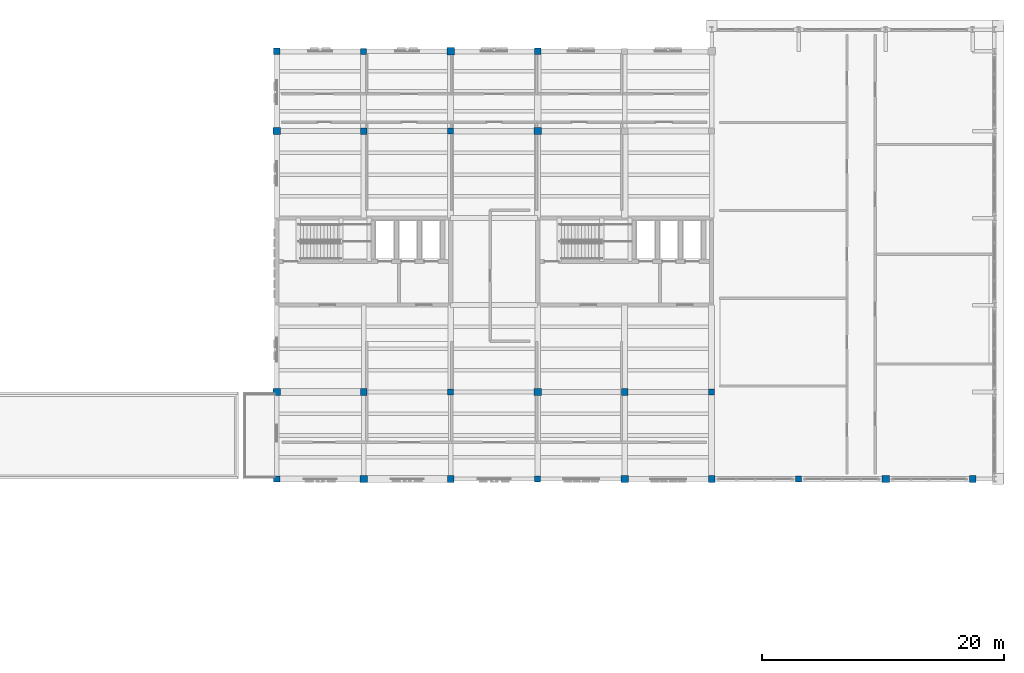
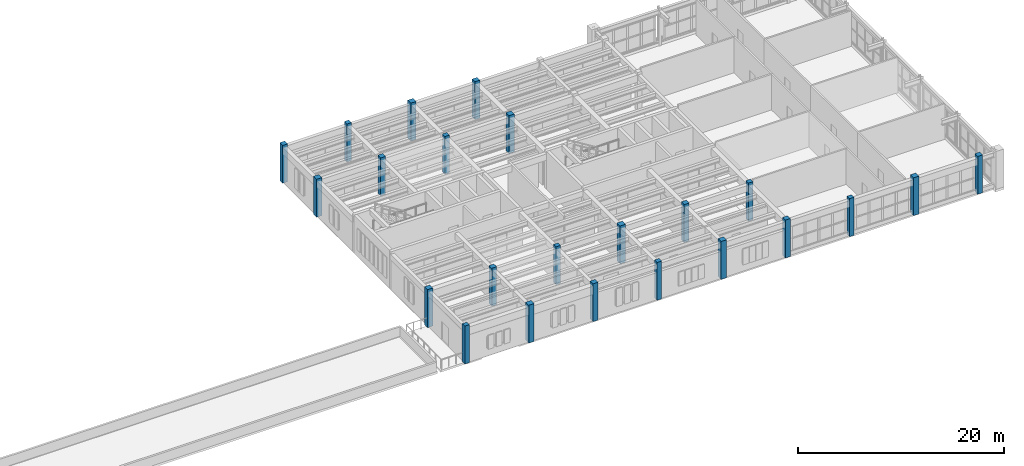
# One storey, part 1 of 18: 23 columns.
"""IFC4 building model written with IfcOpenShell, lengths in metres."""

from ifc_helpers import new_model, si_unit, direction, frame, origin, origin_2d, place, context, subcontext, project, spatial, rectangle, extrude, material, material_profile, profile_set, type_object, element, save


model = new_model("IFC4")

# Units and contexts
model_context = context("Model", 3, precision=1e-05, world=origin(), true_north=direction((0.0, 1.0)))
body_context = subcontext(model_context, "Body", "Model", "MODEL_VIEW")
ifc_project = project(units=[si_unit("LENGTHUNIT", "METRE"), si_unit("AREAUNIT", "SQUARE_METRE"), si_unit("VOLUMEUNIT", "CUBIC_METRE"), si_unit("PLANEANGLEUNIT", "RADIAN"), si_unit("MASSUNIT", "GRAM", prefix="KILO")], contexts=[model_context])

# Site, building, storey
site_placement = place(None, origin())
site = spatial("IfcSite", under=ifc_project, at=site_placement, CompositionType="ELEMENT")
building_placement = place(site_placement, origin())
building = spatial("IfcBuilding", under=site, at=building_placement, Name="Mithqara Police Headquarters", CompositionType="ELEMENT")
storey_placement = place(building_placement, frame((0.0, 0.0, 26.39990234375)))
storey = spatial("IfcBuildingStorey", under=building, at=storey_placement, Name="L06", CompositionType="ELEMENT", Elevation=26.39990234375)

# Columns
ifc_material = material(Name="Concrete C50/60", Category="concrete")
ifc_material_profile_1 = material_profile(ifc_material, rectangle(XDim=0.5, YDim=0.5, at=origin_2d()), Name="RC 500x500")
ifc_profile_set_1 = profile_set([ifc_material_profile_1], Name="Concrete C50/60")
column_type_1 = type_object("IfcColumnType", Name="COLUMN RC500", PredefinedType="COLUMN", material=ifc_profile_set_1)
for number, where, z_axis, x_axis, name in (
    (1, (108.60009765625, 78.60009765625, 0.0), (0.0, 0.0, 1.0), (1.0, 0.0, 0.0), "L06 Column 16/M"),
    (2, (115.800048828125, 114.0, 0.0), (0.0, 0.0, 1.0), (1.0, 0.0, 0.0), "L06 Column 17/S"),
    (3, (123.0, 85.800048828125, 0.0), (0.0, 0.0, 1.0), (1.0, 0.0, 0.0), "L06 Column 18/N"),
    (4, (123.0, 107.39990234375, 0.0), (0.0, 0.0, 1.0), (1.0, 0.0, 0.0), "L06 Column 18/R"),
    (5, (130.199951171875, 78.60009765625, 0.0), (0.0, 0.0, 1.0), (1.0, 0.0, 0.0), "L06 Column 19/M"),
    (6, (144.60009765625, 85.800048828125, 0.0), (0.0, 0.0, 1.0), (1.0, 0.0, 0.0), "L06 Column 21/N"),
    (7, (151.800048828125, 78.60009765625, 0.0), (0.0, 0.0, 1.0), (1.0, 0.0, 0.0), "L06 Column 22/M"),
):
    element("IfcColumn", number, at=place(storey_placement, frame(where, z_axis=z_axis, x_axis=x_axis)), inside=storey, type_object=column_type_1, Name=name, PredefinedType="COLUMN", context=body_context, shape_type="SweptSolid", body=[
        extrude(rectangle(XDim=0.5, YDim=0.5, at=origin_2d()), origin(), (0.0, 0.0, 1.0), 4.5),
    ])
ifc_material_profile_2 = material_profile(ifc_material, rectangle(XDim=0.550048828125, YDim=0.550048828125, at=origin_2d()), Name="RC 550x550")
ifc_profile_set_2 = profile_set([ifc_material_profile_2], Name="Concrete C50/60")
column_type_2 = type_object("IfcColumnType", Name="COLUMN RC550", PredefinedType="COLUMN", material=ifc_profile_set_2)
for number, where, z_axis, x_axis, name in (
    (8, (108.60009765625, 114.0, 0.0), (0.0, 0.0, 1.0), (1.0, 0.0, 0.0), "L06 Column 16/S"),
    (9, (115.800048828125, 85.800048828125, 0.0), (0.0, 0.0, 1.0), (1.0, 0.0, 0.0), "L06 Column 17/N"),
    (10, (115.800048828125, 107.39990234375, 0.0), (0.0, 0.0, 1.0), (1.0, 0.0, 0.0), "L06 Column 17/R"),
    (11, (123.0, 78.60009765625, 0.0), (0.0, 0.0, 1.0), (1.0, 0.0, 0.0), "L06 Column 18/M"),
    (12, (130.199951171875, 114.0, 0.0), (0.0, 0.0, 1.0), (1.0, 0.0, 0.0), "L06 Column 19/S"),
    (13, (137.39990234375, 85.800048828125, 0.0), (0.0, 0.0, 1.0), (1.0, 0.0, 0.0), "L06 Column 20/N"),
    (14, (144.60009765625, 78.60009765625, 0.0), (0.0, 0.0, 1.0), (1.0, 0.0, 0.0), "L06 Column 21/M"),
    (15, (166.199951171875, 78.60009765625, 0.0), (0.0, 0.0, 1.0), (1.0, 0.0, 0.0), "L06 Column 24/M"),
):
    element("IfcColumn", number, at=place(storey_placement, frame(where, z_axis=z_axis, x_axis=x_axis)), inside=storey, type_object=column_type_2, Name=name, PredefinedType="COLUMN", context=body_context, shape_type="SweptSolid", body=[
        extrude(rectangle(XDim=0.550048828125, YDim=0.550048828125, at=origin_2d()), origin(), (0.0, 0.0, 1.0), 4.5),
    ])
ifc_material_profile_3 = material_profile(ifc_material, rectangle(XDim=0.60009765625, YDim=0.60009765625, at=origin_2d()), Name="RC 600x600")
ifc_profile_set_3 = profile_set([ifc_material_profile_3], Name="Concrete C50/60")
column_type_3 = type_object("IfcColumnType", Name="COLUMN RC600", PredefinedType="COLUMN", material=ifc_profile_set_3)
for number, where, z_axis, x_axis, name in (
    (16, (108.60009765625, 85.800048828125, 0.0), (0.0, 0.0, 1.0), (1.0, 0.0, 0.0), "L06 Column 16/N"),
    (17, (108.60009765625, 107.39990234375, 0.0), (0.0, 0.0, 1.0), (1.0, 0.0, 0.0), "L06 Column 16/R"),
    (18, (115.800048828125, 78.60009765625, 0.0), (0.0, 0.0, 1.0), (1.0, 0.0, 0.0), "L06 Column 17/M"),
    (19, (123.0, 114.0, 0.0), (0.0, 0.0, 1.0), (1.0, 0.0, 0.0), "L06 Column 18/S"),
    (20, (130.199951171875, 85.800048828125, 0.0), (0.0, 0.0, 1.0), (1.0, 0.0, 0.0), "L06 Column 19/N"),
    (21, (130.199951171875, 107.39990234375, 0.0), (0.0, 0.0, 1.0), (1.0, 0.0, 0.0), "L06 Column 19/R"),
    (22, (137.39990234375, 78.60009765625, 0.0), (0.0, 0.0, 1.0), (1.0, 0.0, 0.0), "L06 Column 20/M"),
    (23, (159.0, 78.60009765625, 0.0), (0.0, 0.0, 1.0), (1.0, 0.0, 0.0), "L06 Column 23/M"),
):
    element("IfcColumn", number, at=place(storey_placement, frame(where, z_axis=z_axis, x_axis=x_axis)), inside=storey, type_object=column_type_3, Name=name, PredefinedType="COLUMN", context=body_context, shape_type="SweptSolid", body=[
        extrude(rectangle(XDim=0.60009765625, YDim=0.60009765625, at=origin_2d()), origin(), (0.0, 0.0, 1.0), 4.5),
    ])

save(model, "model.ifc")
